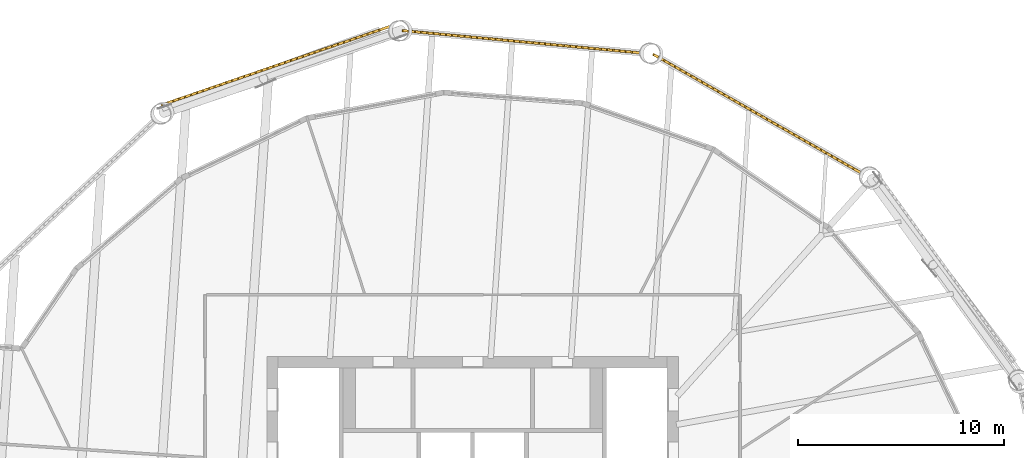
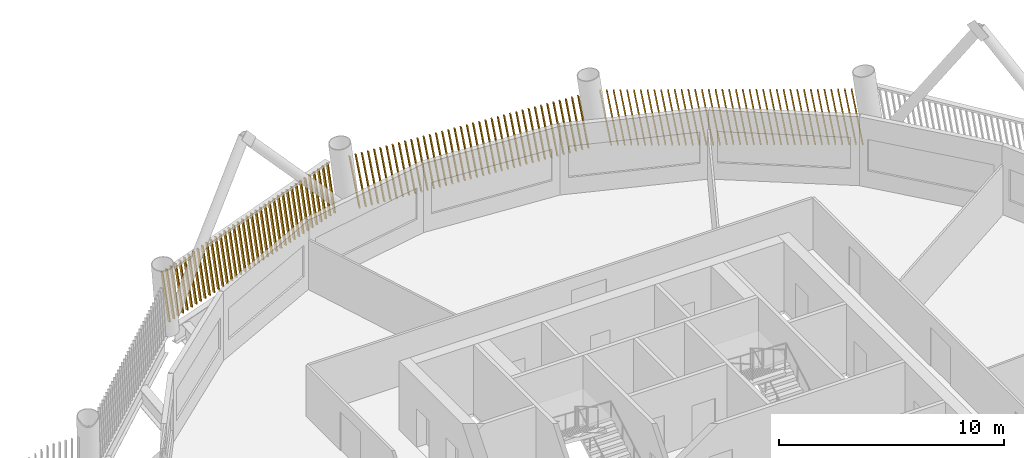
# One storey, part 21 of 22: 3 shading devices.
"""IFC4 building model written with IfcOpenShell, lengths in metres."""

from ifc_helpers import new_model, si_unit, direction, frame, frame_2d, origin, place, context, subcontext, project, spatial, rectangle, composite_profile, extrude, material, type_object, element, save


model = new_model("IFC4")

# Units and contexts
model_context = context("Model", 3, precision=1e-05, world=origin(), true_north=direction((0.0, 1.0)))
body_context = subcontext(model_context, "Body", "Model", "MODEL_VIEW")
ifc_project = project(units=[si_unit("LENGTHUNIT", "METRE"), si_unit("AREAUNIT", "SQUARE_METRE"), si_unit("VOLUMEUNIT", "CUBIC_METRE"), si_unit("PLANEANGLEUNIT", "RADIAN"), si_unit("MASSUNIT", "GRAM", prefix="KILO")], contexts=[model_context])

# Site, building, storey
site_placement = place(None, origin())
site = spatial("IfcSite", under=ifc_project, at=site_placement, CompositionType="ELEMENT")
building_placement = place(site_placement, origin())
building = spatial("IfcBuilding", under=site, at=building_placement, Name="Tarsis Ring Headquarters", CompositionType="ELEMENT")
storey_placement = place(building_placement, frame((0.0, 0.0, 270.800048828125)))
storey = spatial("IfcBuildingStorey", under=building, at=storey_placement, Name="L63", CompositionType="ELEMENT", Elevation=270.800048828125)

# Shading devices
ifc_material = material(Name="Terracotta baguette", Category="masonry")
shading_device_type = type_object("IfcShadingDeviceType", Name="Terracotta baguette screen", PredefinedType="USERDEFINED", material=ifc_material)
shading_device_1_placement = place(storey_placement, frame((18.957763671875, 21.875732421875, 0.0), z_axis=(0.0, 0.0, 1.0), x_axis=(-0.868562126967, 0.495583288117, 0.0)))
element("IfcShadingDevice", 1, at=shading_device_1_placement, inside=storey, type_object=shading_device_type, Name="Baguette screen L63-11", ObjectType="Terracotta baguette screen", PredefinedType="USERDEFINED", context=body_context, shape_type="SweptSolid", body=[
    extrude(composite_profile([rectangle(XDim=0.06005859375, YDim=0.1201171875, at=frame_2d((0.030029296875, 0.0))), rectangle(XDim=0.06005859375, YDim=0.1201171875, at=frame_2d((0.33251953125, 0.0))), rectangle(XDim=0.06005859375, YDim=0.1201171875, at=frame_2d((0.634765625, 0.0))), rectangle(XDim=0.06005859375, YDim=0.1201171875, at=frame_2d((0.937255859375, 0.0))), rectangle(XDim=0.06005859375, YDim=0.1201171875, at=frame_2d((1.239501953125, 0.0))), rectangle(XDim=0.06005859375, YDim=0.1201171875, at=frame_2d((1.5419921875, 0.0))), rectangle(XDim=0.06005859375, YDim=0.1201171875, at=frame_2d((1.844482421875, 0.0))), rectangle(XDim=0.06005859375, YDim=0.1201171875, at=frame_2d((2.146728515625, 0.0))), rectangle(XDim=0.06005859375, YDim=0.1201171875, at=frame_2d((2.44921875, 0.0))), rectangle(XDim=0.06005859375, YDim=0.1201171875, at=frame_2d((2.751708984375, 0.0))), rectangle(XDim=0.06005859375, YDim=0.1201171875, at=frame_2d((3.053955078125, 0.0))), rectangle(XDim=0.06005859375, YDim=0.1201171875, at=frame_2d((3.3564453125, 0.0))), rectangle(XDim=0.06005859375, YDim=0.1201171875, at=frame_2d((3.65869140625, 0.0))), rectangle(XDim=0.06005859375, YDim=0.1201171875, at=frame_2d((3.961181640625, 0.0))), rectangle(XDim=0.06005859375, YDim=0.1201171875, at=frame_2d((4.263671875, 0.0))), rectangle(XDim=0.06005859375, YDim=0.1201171875, at=frame_2d((4.56591796875, 0.0))), rectangle(XDim=0.06005859375, YDim=0.1201171875, at=frame_2d((4.868408203125, 0.0))), rectangle(XDim=0.06005859375, YDim=0.1201171875, at=frame_2d((5.1708984375, 0.0))), rectangle(XDim=0.06005859375, YDim=0.1201171875, at=frame_2d((5.47314453125, 0.0))), rectangle(XDim=0.06005859375, YDim=0.1201171875, at=frame_2d((5.775634765625, 0.0))), rectangle(XDim=0.06005859375, YDim=0.1201171875, at=frame_2d((6.077880859375, 0.0))), rectangle(XDim=0.06005859375, YDim=0.1201171875, at=frame_2d((6.38037109375, 0.0))), rectangle(XDim=0.06005859375, YDim=0.1201171875, at=frame_2d((6.682861328125, 0.0))), rectangle(XDim=0.06005859375, YDim=0.1201171875, at=frame_2d((6.985107421875, 0.0))), rectangle(XDim=0.06005859375, YDim=0.1201171875, at=frame_2d((7.28759765625, 0.0))), rectangle(XDim=0.06005859375, YDim=0.1201171875, at=frame_2d((7.590087890625, 0.0))), rectangle(XDim=0.06005859375, YDim=0.1201171875, at=frame_2d((7.892333984375, 0.0))), rectangle(XDim=0.06005859375, YDim=0.1201171875, at=frame_2d((8.19482421875, 0.0))), rectangle(XDim=0.06005859375, YDim=0.1201171875, at=frame_2d((8.4970703125, 0.0))), rectangle(XDim=0.06005859375, YDim=0.1201171875, at=frame_2d((8.799560546875, 0.0))), rectangle(XDim=0.06005859375, YDim=0.1201171875, at=frame_2d((9.10205078125, 0.0))), rectangle(XDim=0.06005859375, YDim=0.1201171875, at=frame_2d((9.404296875, 0.0))), rectangle(XDim=0.06005859375, YDim=0.1201171875, at=frame_2d((9.706787109375, 0.0))), rectangle(XDim=0.06005859375, YDim=0.1201171875, at=frame_2d((10.00927734375, 0.0))), rectangle(XDim=0.06005859375, YDim=0.1201171875, at=frame_2d((10.3115234375, 0.0))), rectangle(XDim=0.06005859375, YDim=0.1201171875, at=frame_2d((10.614013671875, 0.0))), rectangle(XDim=0.06005859375, YDim=0.1201171875, at=frame_2d((10.916259765625, 0.0))), rectangle(XDim=0.06005859375, YDim=0.1201171875, at=frame_2d((11.21875, 0.0)))]), origin(), (0.164703811219, 0.001435889221, 0.986342026273), 3.0087890625),
])
shading_device_2_placement = place(storey_placement, frame((8.25537109375, 27.7451171875, 0.0), z_axis=(0.0, 0.0, 1.0), x_axis=(-0.995615843733, 0.093521432447, 0.0)))
element("IfcShadingDevice", 2, at=shading_device_2_placement, inside=storey, type_object=shading_device_type, Name="Baguette screen L63-12", ObjectType="Terracotta baguette screen", PredefinedType="USERDEFINED", context=body_context, shape_type="SweptSolid", body=[
    extrude(composite_profile([rectangle(XDim=0.06005859375, YDim=0.1201171875, at=frame_2d((0.030029296875, 0.0))), rectangle(XDim=0.06005859375, YDim=0.1201171875, at=frame_2d((0.33251953125, 0.0))), rectangle(XDim=0.06005859375, YDim=0.1201171875, at=frame_2d((0.634765625, 0.0))), rectangle(XDim=0.06005859375, YDim=0.1201171875, at=frame_2d((0.937255859375, 0.0))), rectangle(XDim=0.06005859375, YDim=0.1201171875, at=frame_2d((1.239501953125, 0.0))), rectangle(XDim=0.06005859375, YDim=0.1201171875, at=frame_2d((1.5419921875, 0.0))), rectangle(XDim=0.06005859375, YDim=0.1201171875, at=frame_2d((1.844482421875, 0.0))), rectangle(XDim=0.06005859375, YDim=0.1201171875, at=frame_2d((2.146728515625, 0.0))), rectangle(XDim=0.06005859375, YDim=0.1201171875, at=frame_2d((2.44921875, 0.0))), rectangle(XDim=0.06005859375, YDim=0.1201171875, at=frame_2d((2.751708984375, 0.0))), rectangle(XDim=0.06005859375, YDim=0.1201171875, at=frame_2d((3.053955078125, 0.0))), rectangle(XDim=0.06005859375, YDim=0.1201171875, at=frame_2d((3.3564453125, 0.0))), rectangle(XDim=0.06005859375, YDim=0.1201171875, at=frame_2d((3.65869140625, 0.0))), rectangle(XDim=0.06005859375, YDim=0.1201171875, at=frame_2d((3.961181640625, 0.0))), rectangle(XDim=0.06005859375, YDim=0.1201171875, at=frame_2d((4.263671875, 0.0))), rectangle(XDim=0.06005859375, YDim=0.1201171875, at=frame_2d((4.56591796875, 0.0))), rectangle(XDim=0.06005859375, YDim=0.1201171875, at=frame_2d((4.868408203125, 0.0))), rectangle(XDim=0.06005859375, YDim=0.1201171875, at=frame_2d((5.1708984375, 0.0))), rectangle(XDim=0.06005859375, YDim=0.1201171875, at=frame_2d((5.47314453125, 0.0))), rectangle(XDim=0.06005859375, YDim=0.1201171875, at=frame_2d((5.775634765625, 0.0))), rectangle(XDim=0.06005859375, YDim=0.1201171875, at=frame_2d((6.077880859375, 0.0))), rectangle(XDim=0.06005859375, YDim=0.1201171875, at=frame_2d((6.38037109375, 0.0))), rectangle(XDim=0.06005859375, YDim=0.1201171875, at=frame_2d((6.682861328125, 0.0))), rectangle(XDim=0.06005859375, YDim=0.1201171875, at=frame_2d((6.985107421875, 0.0))), rectangle(XDim=0.06005859375, YDim=0.1201171875, at=frame_2d((7.28759765625, 0.0))), rectangle(XDim=0.06005859375, YDim=0.1201171875, at=frame_2d((7.590087890625, 0.0))), rectangle(XDim=0.06005859375, YDim=0.1201171875, at=frame_2d((7.892333984375, 0.0))), rectangle(XDim=0.06005859375, YDim=0.1201171875, at=frame_2d((8.19482421875, 0.0))), rectangle(XDim=0.06005859375, YDim=0.1201171875, at=frame_2d((8.4970703125, 0.0))), rectangle(XDim=0.06005859375, YDim=0.1201171875, at=frame_2d((8.799560546875, 0.0))), rectangle(XDim=0.06005859375, YDim=0.1201171875, at=frame_2d((9.10205078125, 0.0))), rectangle(XDim=0.06005859375, YDim=0.1201171875, at=frame_2d((9.404296875, 0.0))), rectangle(XDim=0.06005859375, YDim=0.1201171875, at=frame_2d((9.706787109375, 0.0))), rectangle(XDim=0.06005859375, YDim=0.1201171875, at=frame_2d((10.00927734375, 0.0))), rectangle(XDim=0.06005859375, YDim=0.1201171875, at=frame_2d((10.3115234375, 0.0))), rectangle(XDim=0.06005859375, YDim=0.1201171875, at=frame_2d((10.614013671875, 0.0))), rectangle(XDim=0.06005859375, YDim=0.1201171875, at=frame_2d((10.916259765625, 0.0))), rectangle(XDim=0.06005859375, YDim=0.1201171875, at=frame_2d((11.21875, 0.0)))]), origin(), (0.164703395029, 0.001437275195, 0.986342093751), 3.0087890625),
])
shading_device_3_placement = place(storey_placement, frame((-4.03662109375, 29.035888671875, 0.0), z_axis=(0.0, 0.0, 1.0), x_axis=(-0.945655004775, -0.325158433892, 0.0)))
element("IfcShadingDevice", 3, at=shading_device_3_placement, inside=storey, type_object=shading_device_type, Name="Baguette screen L63-13", ObjectType="Terracotta baguette screen", PredefinedType="USERDEFINED", context=body_context, shape_type="SweptSolid", body=[
    extrude(composite_profile([rectangle(XDim=0.06005859375, YDim=0.1201171875, at=frame_2d((0.030029296875, 0.0))), rectangle(XDim=0.06005859375, YDim=0.1201171875, at=frame_2d((0.33251953125, 0.0))), rectangle(XDim=0.06005859375, YDim=0.1201171875, at=frame_2d((0.634765625, 0.0))), rectangle(XDim=0.06005859375, YDim=0.1201171875, at=frame_2d((0.937255859375, 0.0))), rectangle(XDim=0.06005859375, YDim=0.1201171875, at=frame_2d((1.239501953125, 0.0))), rectangle(XDim=0.06005859375, YDim=0.1201171875, at=frame_2d((1.5419921875, 0.0))), rectangle(XDim=0.06005859375, YDim=0.1201171875, at=frame_2d((1.844482421875, 0.0))), rectangle(XDim=0.06005859375, YDim=0.1201171875, at=frame_2d((2.146728515625, 0.0))), rectangle(XDim=0.06005859375, YDim=0.1201171875, at=frame_2d((2.44921875, 0.0))), rectangle(XDim=0.06005859375, YDim=0.1201171875, at=frame_2d((2.751708984375, 0.0))), rectangle(XDim=0.06005859375, YDim=0.1201171875, at=frame_2d((3.053955078125, 0.0))), rectangle(XDim=0.06005859375, YDim=0.1201171875, at=frame_2d((3.3564453125, 0.0))), rectangle(XDim=0.06005859375, YDim=0.1201171875, at=frame_2d((3.65869140625, 0.0))), rectangle(XDim=0.06005859375, YDim=0.1201171875, at=frame_2d((3.961181640625, 0.0))), rectangle(XDim=0.06005859375, YDim=0.1201171875, at=frame_2d((4.263671875, 0.0))), rectangle(XDim=0.06005859375, YDim=0.1201171875, at=frame_2d((4.56591796875, 0.0))), rectangle(XDim=0.06005859375, YDim=0.1201171875, at=frame_2d((4.868408203125, 0.0))), rectangle(XDim=0.06005859375, YDim=0.1201171875, at=frame_2d((5.1708984375, 0.0))), rectangle(XDim=0.06005859375, YDim=0.1201171875, at=frame_2d((5.47314453125, 0.0))), rectangle(XDim=0.06005859375, YDim=0.1201171875, at=frame_2d((5.775634765625, 0.0))), rectangle(XDim=0.06005859375, YDim=0.1201171875, at=frame_2d((6.077880859375, 0.0))), rectangle(XDim=0.06005859375, YDim=0.1201171875, at=frame_2d((6.38037109375, 0.0))), rectangle(XDim=0.06005859375, YDim=0.1201171875, at=frame_2d((6.682861328125, 0.0))), rectangle(XDim=0.06005859375, YDim=0.1201171875, at=frame_2d((6.985107421875, 0.0))), rectangle(XDim=0.06005859375, YDim=0.1201171875, at=frame_2d((7.28759765625, 0.0))), rectangle(XDim=0.06005859375, YDim=0.1201171875, at=frame_2d((7.590087890625, 0.0))), rectangle(XDim=0.06005859375, YDim=0.1201171875, at=frame_2d((7.892333984375, 0.0))), rectangle(XDim=0.06005859375, YDim=0.1201171875, at=frame_2d((8.19482421875, 0.0))), rectangle(XDim=0.06005859375, YDim=0.1201171875, at=frame_2d((8.4970703125, 0.0))), rectangle(XDim=0.06005859375, YDim=0.1201171875, at=frame_2d((8.799560546875, 0.0))), rectangle(XDim=0.06005859375, YDim=0.1201171875, at=frame_2d((9.10205078125, 0.0))), rectangle(XDim=0.06005859375, YDim=0.1201171875, at=frame_2d((9.404296875, 0.0))), rectangle(XDim=0.06005859375, YDim=0.1201171875, at=frame_2d((9.706787109375, 0.0))), rectangle(XDim=0.06005859375, YDim=0.1201171875, at=frame_2d((10.00927734375, 0.0))), rectangle(XDim=0.06005859375, YDim=0.1201171875, at=frame_2d((10.3115234375, 0.0))), rectangle(XDim=0.06005859375, YDim=0.1201171875, at=frame_2d((10.614013671875, 0.0))), rectangle(XDim=0.06005859375, YDim=0.1201171875, at=frame_2d((10.916259765625, 0.0))), rectangle(XDim=0.06005859375, YDim=0.1201171875, at=frame_2d((11.21875, 0.0)))]), origin(), (0.166817564033, 0.001458796285, 0.985986699831), 3.010009765625),
])

save(model, "model.ifc")
